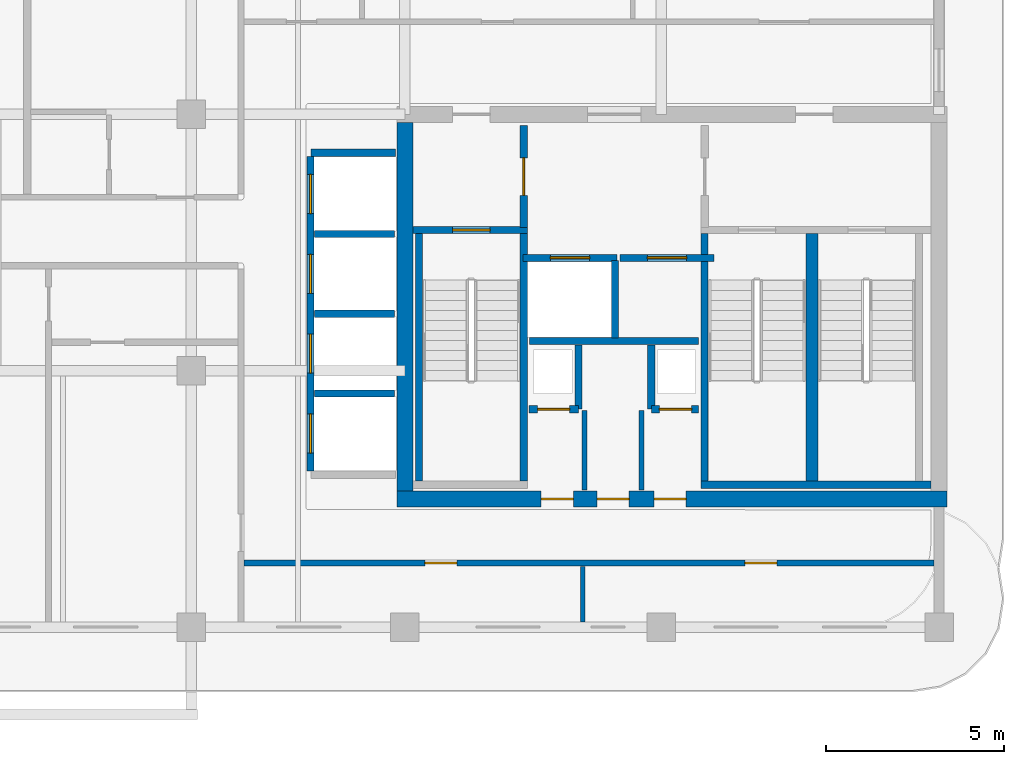
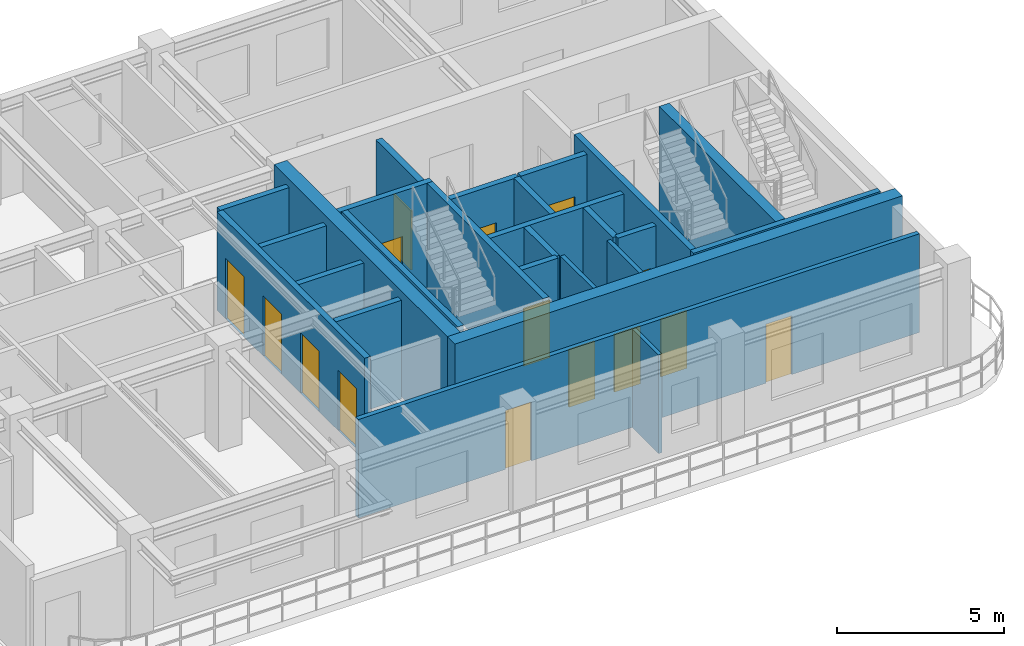
# One storey, part 3 of 7: 26 walls, 15 doors, 15 openings.
"""IFC4 building model written with IfcOpenShell, lengths in metres."""

import ifcopenshell
import ifcopenshell.guid

model = None  # the IFC model being written
_history = None  # IfcOwnerHistory: only IFC2X3 demands one
_inside = {}  # id of a spatial element -> (the spatial element, [elements in it])
_under = {}  # id of a project, library or spatial element -> (it, [spatial elements below it])
_declared = {}  # id of a project -> (the project, [libraries it declares])
_typed = {}  # id of a type object -> (the type object, [elements of that type])
_made_of = {}  # id of a material, layer set ... -> (it, [elements and type objects made of it])


def new_model(schema):
    """Start an empty IFC model of exactly this schema.

    Asked for "IFC4X3", IfcOpenShell would pick the latest addendum, in which some entities
    have other attributes; the version numbers below select the first issue.
    IFC2X3 requires an IfcOwnerHistory on every rooted entity: one is made here for all.
    """
    global model, _history
    if schema == "IFC4X3":
        model = ifcopenshell.file(schema_version=(4, 3, 0, 0))
    else:
        model = ifcopenshell.file(schema=schema)
    _inside.clear()
    _under.clear()
    _declared.clear()
    _typed.clear()
    _made_of.clear()
    _history = None
    if model.schema == "IFC2X3":
        org = make("IfcOrganization", Name="unknown")
        user = make(
            "IfcPersonAndOrganization",
            ThePerson=make("IfcPerson", FamilyName="unknown"),
            TheOrganization=org,
        )
        app = make(
            "IfcApplication",
            ApplicationDeveloper=org,
            Version="unknown",
            ApplicationFullName="unknown",
            ApplicationIdentifier="unknown",
        )
        _history = make(
            "IfcOwnerHistory",
            OwningUser=user,
            OwningApplication=app,
            ChangeAction="ADDED",
            CreationDate=0,
        )
    return model


def make(cls, **values):
    """One entity of the class cls with the attributes given. An attribute that is None is left unset."""
    return model.create_entity(
        cls, **{name: value for name, value in values.items() if value is not None}
    )


def rooted(cls, **values):
    """An entity with a GlobalId (a new one), such as an element, a storey or a relation."""
    return make(cls, GlobalId=ifcopenshell.guid.new(), OwnerHistory=_history, **values)


def si_unit(unit_type, name, prefix=None):
    """IfcSIUnit, for example si_unit("LENGTHUNIT", "METRE", prefix="MILLI")."""
    return make("IfcSIUnit", UnitType=unit_type, Prefix=prefix, Name=name)


def derived_unit(unit_type, elements):
    """IfcDerivedUnit: a product of units, each with its exponent."""
    return make(
        "IfcDerivedUnit",
        Elements=[
            make("IfcDerivedUnitElement", Unit=unit, Exponent=power)
            for unit, power in elements
        ],
        UnitType=unit_type,
    )


def assignment(units):
    """IfcUnitAssignment: the units of a project."""
    return None if units is None else make("IfcUnitAssignment", Units=units)


def point(xyz):
    """IfcCartesianPoint."""
    return None if xyz is None else make("IfcCartesianPoint", Coordinates=xyz)


def direction(xyz):
    """IfcDirection."""
    return None if xyz is None else make("IfcDirection", DirectionRatios=xyz)


def frame(location, z_axis=None, x_axis=None):
    """IfcAxis2Placement3D, a coordinate frame: its origin and axes. An axis left out is left unset."""
    return make(
        "IfcAxis2Placement3D",
        Location=point(location),
        Axis=direction(z_axis),
        RefDirection=direction(x_axis),
    )


def frame_2d(location, x_axis=None):
    """IfcAxis2Placement2D, a coordinate frame in the plane: its origin and x axis."""
    return make(
        "IfcAxis2Placement2D", Location=point(location), RefDirection=direction(x_axis)
    )


def origin():
    """The frame at (0, 0, 0) with its axes left unset."""
    return frame((0.0, 0.0, 0.0))


def place(relative_to, where):
    """IfcLocalPlacement: puts the frame where relative to a parent placement (None: the world)."""
    return make(
        "IfcLocalPlacement", PlacementRelTo=relative_to, RelativePlacement=where
    )


def context(
    kind, dimensions, precision=None, world=None, true_north=None, identifier=None
):
    """IfcGeometricRepresentationContext, for example the 3D "Model" context."""
    return make(
        "IfcGeometricRepresentationContext",
        ContextIdentifier=identifier,
        ContextType=kind,
        CoordinateSpaceDimension=dimensions,
        Precision=precision,
        WorldCoordinateSystem=world,
        TrueNorth=true_north,
    )


def subcontext(parent, identifier, kind, view, scale=None):
    """IfcGeometricRepresentationSubContext, for example "Body" below "Model"."""
    return make(
        "IfcGeometricRepresentationSubContext",
        ContextIdentifier=identifier,
        ContextType=kind,
        ParentContext=parent,
        TargetScale=scale,
        TargetView=view,
    )


def project(units=None, contexts=None):
    """IfcProject with its units and contexts."""
    return rooted(
        "IfcProject",
        Name="project",
        RepresentationContexts=contexts,
        UnitsInContext=assignment(units),
    )


def spatial(cls, under=None, at=None, **own):
    """A site, building, storey or space (cls), placed at a placement, below another one or the project."""
    s = rooted(cls, ObjectPlacement=at, **own)
    if under is not None:
        _under.setdefault(under.id(), (under, []))[1].append(s)
    return s


def profile(cls, at=None, kind="AREA", **sizes):
    """A parametric profile (cls). Its sizes go by their IFC names, for example OverallWidth=200.0."""
    return make(cls, ProfileType=kind, Position=at, **sizes)


def rectangle(**sizes):
    """IfcRectangleProfileDef."""
    return profile("IfcRectangleProfileDef", **sizes)


def extrude(swept, where, along, depth):
    """IfcExtrudedAreaSolid: the profile swept, set in the frame where, extruded along a direction by depth."""
    return make(
        "IfcExtrudedAreaSolid",
        SweptArea=swept,
        Position=where,
        ExtrudedDirection=direction(along),
        Depth=depth,
    )


def shape(context_of_items, identifier, shape_type, items):
    """IfcShapeRepresentation: the items that make up one representation, for example the "Body"."""
    return make(
        "IfcShapeRepresentation",
        ContextOfItems=context_of_items,
        RepresentationIdentifier=identifier,
        RepresentationType=shape_type,
        Items=items,
    )


def source(mapping_origin, context_of_items, identifier, shape_type, items):
    """IfcRepresentationMap: a shape defined once, which mapped items show again and again."""
    return make(
        "IfcRepresentationMap",
        MappingOrigin=mapping_origin,
        MappedRepresentation=shape(context_of_items, identifier, shape_type, items),
    )


def transform(
    local_origin,
    x_axis=None,
    y_axis=None,
    z_axis=None,
    scale=None,
    scale2=None,
    scale3=None,
    uniform=True,
):
    """IfcCartesianTransformationOperator3D, or its non-uniform kind. x_axis, y_axis, z_axis: its Axis1, 2, 3."""
    if uniform:
        return make(
            "IfcCartesianTransformationOperator3D",
            Axis1=direction(x_axis),
            Axis2=direction(y_axis),
            LocalOrigin=point(local_origin),
            Scale=scale,
            Axis3=direction(z_axis),
        )
    return make(
        "IfcCartesianTransformationOperator3DnonUniform",
        Axis1=direction(x_axis),
        Axis2=direction(y_axis),
        LocalOrigin=point(local_origin),
        Scale=scale,
        Axis3=direction(z_axis),
        Scale2=scale2,
        Scale3=scale3,
    )


def mapped(mapping_source, mapping_target):
    """IfcMappedItem: shows the shape of a source again, moved by a transform."""
    return make(
        "IfcMappedItem", MappingSource=mapping_source, MappingTarget=mapping_target
    )


def material(Name=None, Category=None):
    """IfcMaterial."""
    return make("IfcMaterial", Name=Name, Category=Category)


def layer(
    of_material, thickness, ventilated=None, Name=None, Category=None, Priority=None
):
    """IfcMaterialLayer: one layer of a wall or slab, of a material (None: an air gap)."""
    return make(
        "IfcMaterialLayer",
        Material=of_material,
        LayerThickness=thickness,
        IsVentilated=ventilated,
        Name=Name,
        Category=Category,
        Priority=Priority,
    )


def layer_set(layers, Name=None):
    """IfcMaterialLayerSet."""
    return make("IfcMaterialLayerSet", MaterialLayers=layers, LayerSetName=Name)


def made_of(thing, what):
    """Note that an element or type object is made of a material, layer set ...; save() writes the relation."""
    if what is not None:
        _made_of.setdefault(what.id(), (what, []))[1].append(thing)
    return thing


def type_object(cls, material=None, **own):
    """A type object (cls), such as IfcWallType, which elements share."""
    return made_of(rooted(cls, **own), material)


def type_shapes(of_type, sources):
    """Give a type object the sources (RepresentationMaps) that its elements show as mapped items."""
    of_type.RepresentationMaps = sources


def element(
    cls,
    number,
    at=None,
    inside=None,
    cuts=None,
    type_object=None,
    material=None,
    context=None,
    identifier="Body",
    shape_type=None,
    held_by="IfcProductDefinitionShape",
    body=None,
    shapes=None,
    **own,
):
    """One element of the class cls, such as IfcWall. Its Tag is "e" and its number.

    at: its placement. inside: the storey or other place that contains it. cuts: it is an
    opening in that element (IfcRelVoidsElement). A single representation is given by context,
    identifier, shape_type and body (its items); several are given by shapes. held_by: the class
    of the entity that holds the representations. save() writes the other relations.
    """
    e = rooted(cls, Tag="e%d" % number, ObjectPlacement=at, **own)
    if body is not None:
        shapes = [shape(context, identifier, shape_type, body)]
    if shapes is not None:
        e.Representation = make(held_by, Representations=shapes)
    if inside is not None:
        _inside.setdefault(inside.id(), (inside, []))[1].append(e)
    if cuts is not None:
        rooted(
            "IfcRelVoidsElement", RelatingBuildingElement=cuts, RelatedOpeningElement=e
        )
    if type_object is not None:
        _typed.setdefault(type_object.id(), (type_object, []))[1].append(e)
    return made_of(e, material)


def fill(opening, filler):
    """IfcRelFillsElement: the door or window that sits in an opening."""
    return rooted(
        "IfcRelFillsElement",
        RelatingOpeningElement=opening,
        RelatedBuildingElement=filler,
    )


def aggregate(whole, parts):
    """IfcRelAggregates: a whole, such as a stair, and the parts it consists of."""
    return rooted("IfcRelAggregates", RelatingObject=whole, RelatedObjects=parts)


def save(model, path):
    """Write the relations noted so far, then the file.

    IfcRelAggregates (storeys below a building ...), IfcRelContainedInSpatialStructure (elements
    in a storey), IfcRelDefinesByType, IfcRelAssociatesMaterial and IfcRelDeclares: one each for
    every whole, place, type object, material and project.
    """
    for whole, parts in _under.values():
        aggregate(whole, parts)
    for where, things in _inside.values():
        rooted(
            "IfcRelContainedInSpatialStructure",
            RelatedElements=things,
            RelatingStructure=where,
        )
    for kind, things in _typed.values():
        rooted("IfcRelDefinesByType", RelatedObjects=things, RelatingType=kind)
    for what, things in _made_of.values():
        rooted("IfcRelAssociatesMaterial", RelatedObjects=things, RelatingMaterial=what)
    for by, libraries in _declared.values():
        rooted("IfcRelDeclares", RelatingContext=by, RelatedDefinitions=libraries)
    model.write(path)


model = new_model("IFC4")

# Units and contexts
model_context = context("Model", 3, precision=1e-05, world=origin(), true_north=direction((0.0, 1.0)))
body_context = subcontext(model_context, "Body", "Model", "MODEL_VIEW")
ifc_project = project(units=[si_unit("LENGTHUNIT", "METRE"), si_unit("AREAUNIT", "SQUARE_METRE"), si_unit("VOLUMEUNIT", "CUBIC_METRE"), si_unit("PLANEANGLEUNIT", "RADIAN"), si_unit("MASSUNIT", "GRAM", prefix="KILO"), si_unit("THERMODYNAMICTEMPERATUREUNIT", "KELVIN"), si_unit("POWERUNIT", "WATT"), derived_unit("THERMALTRANSMITTANCEUNIT", [(si_unit("POWERUNIT", "WATT"), 1), (si_unit("AREAUNIT", "SQUARE_METRE"), -1), (si_unit("THERMODYNAMICTEMPERATUREUNIT", "KELVIN"), -1)])], contexts=[model_context])

# Site, building, storey
site_placement = place(None, origin())
site = spatial("IfcSite", under=ifc_project, at=site_placement, CompositionType="ELEMENT")
building_placement = place(site_placement, origin())
building = spatial("IfcBuilding", under=site, at=building_placement, Name="Zahravan Archway Hotel and Residences", CompositionType="ELEMENT")
storey_placement = place(building_placement, frame((0.0, 0.0, 251.949951171875)))
storey = spatial("IfcBuildingStorey", under=building, at=storey_placement, Name="L63", CompositionType="ELEMENT", Elevation=251.949951171875)

# Wall, openings, doors
ifc_material_1 = material(Name="Concrete C50/60", Category="concrete")
ifc_layer_1 = layer(ifc_material_1, 0.449951171875, Name="Concrete C50/60", Category="concrete")
ifc_layer_set_1 = layer_set([ifc_layer_1], Name="Concrete C50/60")
wall_type_1 = type_object("IfcWallType", Name="CW-CORE-450", PredefinedType="SHEAR", material=ifc_layer_set_1)
wall_1_placement = place(storey_placement, frame((34.574951171875, 3.60009765625, 0.0), z_axis=(0.0, 0.0, 1.0), x_axis=(1.0, 0.0, 0.0)))
wall_1 = element("IfcWall", 1, at=wall_1_placement, inside=storey, type_object=wall_type_1, Name="L63 Core A Shear S Wall 450 mm", PredefinedType="SHEAR", context=body_context, shape_type="SweptSolid", body=[
    extrude(rectangle(XDim=15.449951171875, YDim=0.449951171875, at=frame_2d((7.72509765625, 0.0))), origin(), (0.0, 0.0, 1.0), 3.85009765625),
])
opening_1_placement = place(wall_1_placement, frame((4.054931640625, 0.0, 0.0)))
opening_1 = element("IfcOpeningElement", 2, at=opening_1_placement, cuts=wall_1, Name="Opening FD-R1", PredefinedType="OPENING", context=body_context, shape_type="SweptSolid", body=[
    extrude(rectangle(XDim=0.89990234375, YDim=2.10009765625, at=frame_2d((0.449951171875, 1.050048828125))), frame((0.0, 0.23486328125, 0.0), z_axis=(0.0, -1.0, 0.0), x_axis=(1.0, 0.0, 0.0)), (0.0, 0.0, 1.0), 0.469970703125),
])
opening_2_placement = place(wall_1_placement, frame((5.625, 0.0, 0.0)))
opening_2 = element("IfcOpeningElement", 3, at=opening_2_placement, cuts=wall_1, Name="Opening FD-R1", PredefinedType="OPENING", context=body_context, shape_type="SweptSolid", body=[
    extrude(rectangle(XDim=0.89990234375, YDim=2.10009765625, at=frame_2d((0.449951171875, 1.050048828125))), frame((0.0, 0.23486328125, 0.0), z_axis=(0.0, -1.0, 0.0), x_axis=(1.0, 0.0, 0.0)), (0.0, 0.0, 1.0), 0.469970703125),
])
opening_3_placement = place(wall_1_placement, frame((7.22509765625, 0.0, 0.0)))
opening_3 = element("IfcOpeningElement", 4, at=opening_3_placement, cuts=wall_1, Name="Opening FD-R1", PredefinedType="OPENING", context=body_context, shape_type="SweptSolid", body=[
    extrude(rectangle(XDim=0.89990234375, YDim=2.10009765625, at=frame_2d((0.449951171875, 1.050048828125))), frame((0.0, 0.23486328125, 0.0), z_axis=(0.0, -1.0, 0.0), x_axis=(1.0, 0.0, 0.0)), (0.0, 0.0, 1.0), 0.469970703125),
])
ifc_material_2 = material(Name="Fire-Rated Painted Steel", Category="steel")
door_type_1 = type_object("IfcDoorType", Name="FD-RISER-900", OperationType="NOTDEFINED", PredefinedType="DOOR", material=ifc_material_2)
shared_shape_1 = source(origin(), body_context, "Body", "SweptSolid", [
    extrude(rectangle(XDim=0.89990234375, YDim=2.10009765625, at=frame_2d((0.449951171875, 1.050048828125))), frame((0.0, 0.02490234375, 0.0), z_axis=(0.0, -1.0, 0.0), x_axis=(1.0, 0.0, 0.0)), (0.0, 0.0, 1.0), 0.050048828125),
])
type_shapes(door_type_1, [shared_shape_1])
door_1_placement = place(opening_1_placement, origin())
door_1 = element("IfcDoor", 5, at=door_1_placement, inside=storey, type_object=door_type_1, Name="L63 Linen Store Door", OperationType="SINGLE_SWING_RIGHT", OverallHeight=2.10009765625, OverallWidth=0.89990234375, PredefinedType="DOOR", context=body_context, shape_type="MappedRepresentation", body=[
    mapped(shared_shape_1, transform((0.0, 0.0, 0.0), scale=1.0)),
])
fill(opening_1, door_1)
door_2_placement = place(opening_2_placement, origin())
door_2 = element("IfcDoor", 6, at=door_2_placement, inside=storey, type_object=door_type_1, Name="L63 Housekeeping Store Door", OperationType="SINGLE_SWING_LEFT", OverallHeight=2.10009765625, OverallWidth=0.89990234375, PredefinedType="DOOR", context=body_context, shape_type="MappedRepresentation", body=[
    mapped(shared_shape_1, transform((0.0, 0.0, 0.0), scale=1.0)),
])
fill(opening_2, door_2)
door_3_placement = place(opening_3_placement, origin())
door_3 = element("IfcDoor", 7, at=door_3_placement, inside=storey, type_object=door_type_1, Name="L63 Janitor Store Door", OperationType="SINGLE_SWING_RIGHT", OverallHeight=2.10009765625, OverallWidth=0.89990234375, PredefinedType="DOOR", context=body_context, shape_type="MappedRepresentation", body=[
    mapped(shared_shape_1, transform((0.0, 0.0, 0.0), scale=1.0)),
])
fill(opening_3, door_3)

# Wall
wall_2_placement = place(storey_placement, frame((34.800048828125, 3.824951171875, 0.0), z_axis=(0.0, 0.0, 1.0), x_axis=(0.0, 1.0, 0.0)))
element("IfcWall", 8, at=wall_2_placement, inside=storey, type_object=wall_type_1, Name="L63 Core A Shear W Wall 450 mm", PredefinedType="SHEAR", context=body_context, shape_type="SweptSolid", body=[
    extrude(rectangle(XDim=10.35009765625, YDim=0.449951171875, at=frame_2d((5.175048828125, 0.0))), origin(), (0.0, 0.0, 1.0), 3.85009765625),
])

# Wall, opening, door
ifc_material_3 = material(Name="Fire-Rated Gypsum & Concrete Block", Category="concrete")
ifc_layer_2 = layer(ifc_material_3, 0.219970703125, Name="Fire-Rated Gypsum & Concrete Block", Category="concrete")
ifc_layer_set_2 = layer_set([ifc_layer_2], Name="Fire-Rated Gypsum & Concrete Block")
wall_type_2 = type_object("IfcWallType", Name="PW-COMP-220", PredefinedType="PARTITIONING", material=ifc_layer_set_2)
wall_3_placement = place(storey_placement, frame((38.139892578125, 11.219970703125, 0.0), z_axis=(0.0, 0.0, 1.0), x_axis=(0.0, 1.0, 0.0)))
wall_3 = element("IfcWall", 9, at=wall_3_placement, inside=storey, type_object=wall_type_2, Name="L63 Partition CA-LOBW", PredefinedType="PARTITIONING", context=body_context, shape_type="SweptSolid", body=[
    extrude(rectangle(XDim=2.860107421875, YDim=0.219970703125, at=frame_2d((1.43017578125, 0.0))), origin(), (0.0, 0.0, 1.0), 3.60009765625),
])
opening_4_placement = place(wall_3_placement, frame((0.905029296875, 0.0, 0.0)))
opening_4 = element("IfcOpeningElement", 10, at=opening_4_placement, cuts=wall_3, Name="Opening FD-L2", PredefinedType="OPENING", context=body_context, shape_type="SweptSolid", body=[
    extrude(rectangle(XDim=1.050048828125, YDim=2.14990234375, at=frame_2d((0.52490234375, 1.074951171875))), frame((0.0, 0.1201171875, 0.0), z_axis=(0.0, -1.0, 0.0), x_axis=(1.0, 0.0, 0.0)), (0.0, 0.0, 1.0), 0.239990234375),
])
door_type_2 = type_object("IfcDoorType", Name="FD-LOBBY-1100", OperationType="NOTDEFINED", PredefinedType="DOOR", material=ifc_material_2)
shared_shape_2 = source(origin(), body_context, "Body", "SweptSolid", [
    extrude(rectangle(XDim=1.050048828125, YDim=2.14990234375, at=frame_2d((0.52490234375, 1.074951171875))), frame((0.0, 0.02490234375, 0.0), z_axis=(0.0, -1.0, 0.0), x_axis=(1.0, 0.0, 0.0)), (0.0, 0.0, 1.0), 0.050048828125),
])
type_shapes(door_type_2, [shared_shape_2])
door_4_placement = place(opening_4_placement, origin())
door_4 = element("IfcDoor", 11, at=door_4_placement, inside=storey, type_object=door_type_2, Name="L63 Core A West Stair to FSAE Lobby Door", OperationType="SINGLE_SWING_RIGHT", OverallHeight=2.14990234375, OverallWidth=1.050048828125, PredefinedType="DOOR", context=body_context, shape_type="MappedRepresentation", body=[
    mapped(shared_shape_2, transform((0.0, 0.0, 0.0), scale=1.0)),
])
fill(opening_4, door_4)

# Wall, openings, doors
ifc_layer_3 = layer(ifc_material_3, 0.159912109375, Name="Fire-Rated Gypsum & Concrete Block", Category="concrete")
ifc_layer_set_3 = layer_set([ifc_layer_3], Name="Fire-Rated Gypsum & Concrete Block")
wall_type_3 = type_object("IfcWallType", Name="PW-CORR-160", PredefinedType="PARTITIONING", material=ifc_layer_set_3)
wall_4_placement = place(storey_placement, frame((30.2900390625, 1.800048828125, 0.0), z_axis=(0.0, 0.0, 1.0), x_axis=(1.0, 0.0, 0.0)))
wall_4 = element("IfcWall", 12, at=wall_4_placement, inside=storey, type_object=wall_type_3, Name="L63 Partition WA-SRS", PredefinedType="PARTITIONING", context=body_context, shape_type="SweptSolid", body=[
    extrude(rectangle(XDim=19.369873046875, YDim=0.159912109375, at=frame_2d((9.68505859375, 0.0))), origin(), (0.0, 0.0, 1.0), 3.60009765625),
])
opening_5_placement = place(wall_4_placement, frame((5.07421875, 0.0, 0.0)))
opening_5 = element("IfcOpeningElement", 13, at=opening_5_placement, cuts=wall_4, Name="Opening D-I2", PredefinedType="OPENING", context=body_context, shape_type="SweptSolid", body=[
    extrude(rectangle(XDim=0.89990234375, YDim=2.14990234375, at=frame_2d((0.449951171875, 1.074951171875))), frame((0.0, 0.08984375, 0.0), z_axis=(0.0, -1.0, 0.0), x_axis=(1.0, 0.0, 0.0)), (0.0, 0.0, 1.0), 0.179931640625),
])
opening_6_placement = place(wall_4_placement, frame((14.06005859375, 0.0, 0.0)))
opening_6 = element("IfcOpeningElement", 14, at=opening_6_placement, cuts=wall_4, Name="Opening D-I2", PredefinedType="OPENING", context=body_context, shape_type="SweptSolid", body=[
    extrude(rectangle(XDim=0.89990234375, YDim=2.14990234375, at=frame_2d((0.449951171875, 1.074951171875))), frame((0.0, 0.08984375, 0.0), z_axis=(0.0, -1.0, 0.0), x_axis=(1.0, 0.0, 0.0)), (0.0, 0.0, 1.0), 0.179931640625),
])
ifc_material_4 = material(Name="Hardwood Veneer Timber", Category="wood")
door_type_3 = type_object("IfcDoorType", Name="ID-INT-900", OperationType="NOTDEFINED", PredefinedType="DOOR", material=ifc_material_4)
shared_shape_3 = source(origin(), body_context, "Body", "SweptSolid", [
    extrude(rectangle(XDim=0.89990234375, YDim=2.14990234375, at=frame_2d((0.449951171875, 1.074951171875))), frame((0.0, 0.02490234375, 0.0), z_axis=(0.0, -1.0, 0.0), x_axis=(1.0, 0.0, 0.0)), (0.0, 0.0, 1.0), 0.050048828125),
])
type_shapes(door_type_3, [shared_shape_3])
door_5_placement = place(opening_5_placement, origin())
door_5 = element("IfcDoor", 15, at=door_5_placement, inside=storey, type_object=door_type_3, Name="L63 South Study Door", OperationType="SINGLE_SWING_RIGHT", OverallHeight=2.14990234375, OverallWidth=0.89990234375, PredefinedType="DOOR", context=body_context, shape_type="MappedRepresentation", body=[
    mapped(shared_shape_3, transform((0.0, 0.0, 0.0), scale=1.0)),
])
fill(opening_5, door_5)
door_6_placement = place(opening_6_placement, origin())
door_6 = element("IfcDoor", 16, at=door_6_placement, inside=storey, type_object=door_type_3, Name="L63 South Pantry Door", OperationType="SINGLE_SWING_LEFT", OverallHeight=2.14990234375, OverallWidth=0.89990234375, PredefinedType="DOOR", context=body_context, shape_type="MappedRepresentation", body=[
    mapped(shared_shape_3, transform((0.0, 0.0, 0.0), scale=1.0)),
])
fill(opening_6, door_6)

# Walls
ifc_material_5 = material(Name="Acoustic Stud Partition")
ifc_layer_4 = layer(ifc_material_5, 0.125, Name="Acoustic Stud Partition")
ifc_layer_set_4 = layer_set([ifc_layer_4], Name="Acoustic Stud Partition")
wall_type_4 = type_object("IfcWallType", Name="PW-INT-125", PredefinedType="PARTITIONING", material=ifc_layer_set_4)
wall_5_placement = place(storey_placement, frame((39.800048828125, 0.14794921875, 0.0), z_axis=(0.0, 0.0, 1.0), x_axis=(0.0, 1.0, 0.0)))
element("IfcWall", 17, at=wall_5_placement, inside=storey, type_object=wall_type_4, Name="L63 Partition S-DIV1", PredefinedType="PARTITIONING", context=body_context, shape_type="SweptSolid", body=[
    extrude(rectangle(XDim=1.56201171875, YDim=0.125, at=frame_2d((0.781005859375, 0.0))), origin(), (0.0, 0.0, 1.0), 3.60009765625),
])
ifc_layer_5 = layer(ifc_material_3, 0.199951171875, Name="Fire-Rated Gypsum & Concrete Block", Category="concrete")
ifc_layer_set_5 = layer_set([ifc_layer_5], Name="Fire-Rated Gypsum & Concrete Block")
wall_type_5 = type_object("IfcWallType", Name="PW-SHAFT-200", PredefinedType="PARTITIONING", material=ifc_layer_set_5)
wall_6_placement = place(storey_placement, frame((38.300048828125, 8.030029296875, 0.0), z_axis=(0.0, 0.0, 1.0), x_axis=(1.0, 0.0, 0.0)))
element("IfcWall", 18, at=wall_6_placement, inside=storey, type_object=wall_type_5, Name="L63 Partition CA-FLS", PredefinedType="PARTITIONING", context=body_context, shape_type="SweptSolid", body=[
    extrude(rectangle(XDim=4.739990234375, YDim=0.199951171875, at=frame_2d((2.3701171875, 0.0))), origin(), (0.0, 0.0, 1.0), 3.60009765625),
])
wall_7_placement = place(storey_placement, frame((40.699951171875, 8.1201171875, 0.0), z_axis=(0.0, 0.0, 1.0), x_axis=(0.0, 1.0, 0.0)))
element("IfcWall", 19, at=wall_7_placement, inside=storey, type_object=wall_type_5, Name="L63 Partition CA-FLM", PredefinedType="PARTITIONING", context=body_context, shape_type="SweptSolid", body=[
    extrude(rectangle(XDim=2.179931640625, YDim=0.199951171875, at=frame_2d((1.08984375, 0.0))), origin(), (0.0, 0.0, 1.0), 3.60009765625),
])

# Wall, opening, door
wall_8_placement = place(storey_placement, frame((38.2900390625, 6.1201171875, 0.0), z_axis=(0.0, 0.0, 1.0), x_axis=(1.0, 0.0, 0.0)))
wall_8 = element("IfcWall", 20, at=wall_8_placement, inside=storey, type_object=wall_type_5, Name="L63 Partition CA-SMKS", PredefinedType="PARTITIONING", context=body_context, shape_type="SweptSolid", body=[
    extrude(rectangle(XDim=1.3798828125, YDim=0.199951171875, at=frame_2d((0.68994140625, 0.0))), origin(), (0.0, 0.0, 1.0), 3.60009765625),
])
opening_7_placement = place(wall_8_placement, frame((0.239990234375, 0.0, 0.0)))
opening_7 = element("IfcOpeningElement", 21, at=opening_7_placement, cuts=wall_8, Name="Opening FD-R1", PredefinedType="OPENING", context=body_context, shape_type="SweptSolid", body=[
    extrude(rectangle(XDim=0.89990234375, YDim=2.10009765625, at=frame_2d((0.449951171875, 1.050048828125))), frame((0.0, 0.10986328125, 0.0), z_axis=(0.0, -1.0, 0.0), x_axis=(1.0, 0.0, 0.0)), (0.0, 0.0, 1.0), 0.219970703125),
])
door_7_placement = place(opening_7_placement, origin())
door_7 = element("IfcDoor", 22, at=door_7_placement, inside=storey, type_object=door_type_1, Name="L63 Smoke Riser Access Door", OperationType="SINGLE_SWING_RIGHT", OverallHeight=2.10009765625, OverallWidth=0.89990234375, PredefinedType="DOOR", context=body_context, shape_type="MappedRepresentation", body=[
    mapped(shared_shape_1, transform((0.0, 0.0, 0.0), scale=1.0)),
])
fill(opening_7, door_7)

# Wall
wall_9_placement = place(storey_placement, frame((39.679931640625, 6.1298828125, 0.0), z_axis=(0.0, 0.0, 1.0), x_axis=(0.0, 1.0, 0.0)))
element("IfcWall", 23, at=wall_9_placement, inside=storey, type_object=wall_type_5, Name="L63 Partition CA-SMKE", PredefinedType="PARTITIONING", context=body_context, shape_type="SweptSolid", body=[
    extrude(rectangle(XDim=1.7900390625, YDim=0.199951171875, at=frame_2d((0.89501953125, 0.0))), origin(), (0.0, 0.0, 1.0), 3.60009765625),
])

# Wall, opening, door
wall_10_placement = place(storey_placement, frame((41.72998046875, 6.1201171875, 0.0), z_axis=(0.0, 0.0, 1.0), x_axis=(1.0, 0.0, 0.0)))
wall_10 = element("IfcWall", 24, at=wall_10_placement, inside=storey, type_object=wall_type_5, Name="L63 Partition CA-MEPS", PredefinedType="PARTITIONING", context=body_context, shape_type="SweptSolid", body=[
    extrude(rectangle(XDim=1.320068359375, YDim=0.199951171875, at=frame_2d((0.66015625, 0.0))), origin(), (0.0, 0.0, 1.0), 3.60009765625),
])
opening_8_placement = place(wall_10_placement, frame((0.219970703125, 0.0, 0.0)))
opening_8 = element("IfcOpeningElement", 25, at=opening_8_placement, cuts=wall_10, Name="Opening FD-R1", PredefinedType="OPENING", context=body_context, shape_type="SweptSolid", body=[
    extrude(rectangle(XDim=0.89990234375, YDim=2.10009765625, at=frame_2d((0.449951171875, 1.050048828125))), frame((0.0, 0.10986328125, 0.0), z_axis=(0.0, -1.0, 0.0), x_axis=(1.0, 0.0, 0.0)), (0.0, 0.0, 1.0), 0.219970703125),
])
door_8_placement = place(opening_8_placement, origin())
door_8 = element("IfcDoor", 26, at=door_8_placement, inside=storey, type_object=door_type_1, Name="L63 MEP Riser Access Door", OperationType="SINGLE_SWING_LEFT", OverallHeight=2.10009765625, OverallWidth=0.89990234375, PredefinedType="DOOR", context=body_context, shape_type="MappedRepresentation", body=[
    mapped(shared_shape_1, transform((0.0, 0.0, 0.0), scale=1.0)),
])
fill(opening_8, door_8)

# Walls
wall_11_placement = place(storey_placement, frame((41.719970703125, 6.1298828125, 0.0), z_axis=(0.0, 0.0, 1.0), x_axis=(0.0, 1.0, 0.0)))
element("IfcWall", 27, at=wall_11_placement, inside=storey, type_object=wall_type_5, Name="L63 Partition CA-MEPW", PredefinedType="PARTITIONING", context=body_context, shape_type="SweptSolid", body=[
    extrude(rectangle(XDim=1.7900390625, YDim=0.199951171875, at=frame_2d((0.89501953125, 0.0))), origin(), (0.0, 0.0, 1.0), 3.60009765625),
])
wall_12_placement = place(storey_placement, frame((32.159912109375, 13.320068359375, 0.0), z_axis=(0.0, 0.0, 1.0), x_axis=(1.0, 0.0, 0.0)))
element("IfcWall", 28, at=wall_12_placement, inside=storey, type_object=wall_type_5, Name="L63 Partition B3-N", PredefinedType="PARTITIONING", context=body_context, shape_type="SweptSolid", body=[
    extrude(rectangle(XDim=2.385009765625, YDim=0.199951171875, at=frame_2d((1.1923828125, 0.0))), origin(), (0.0, 0.0, 1.0), 3.60009765625),
])

# Wall, openings, doors
wall_13_placement = place(storey_placement, frame((32.14990234375, 4.389892578125, 0.0), z_axis=(0.0, 0.0, 1.0), x_axis=(0.0, 1.0, 0.0)))
wall_13 = element("IfcWall", 29, at=wall_13_placement, inside=storey, type_object=wall_type_5, Name="L63 Partition B3-W", PredefinedType="PARTITIONING", context=body_context, shape_type="SweptSolid", body=[
    extrude(rectangle(XDim=8.820068359375, YDim=0.199951171875, at=frame_2d((4.41015625, 0.0))), origin(), (0.0, 0.0, 1.0), 3.60009765625),
])
opening_9_placement = place(wall_13_placement, frame((0.5, 0.0, 0.0)))
opening_9 = element("IfcOpeningElement", 30, at=opening_9_placement, cuts=wall_13, Name="Opening LD", PredefinedType="OPENING", context=body_context, shape_type="SweptSolid", body=[
    extrude(rectangle(XDim=1.10009765625, YDim=2.199951171875, at=frame_2d((0.550048828125, 1.10009765625))), frame((0.0, 0.10986328125, 0.0), z_axis=(0.0, -1.0, 0.0), x_axis=(1.0, 0.0, 0.0)), (0.0, 0.0, 1.0), 0.219970703125),
])
opening_10_placement = place(wall_13_placement, frame((2.739990234375, 0.0, 0.0)))
opening_10 = element("IfcOpeningElement", 31, at=opening_10_placement, cuts=wall_13, Name="Opening LD", PredefinedType="OPENING", context=body_context, shape_type="SweptSolid", body=[
    extrude(rectangle(XDim=1.10009765625, YDim=2.199951171875, at=frame_2d((0.550048828125, 1.10009765625))), frame((0.0, 0.10986328125, 0.0), z_axis=(0.0, -1.0, 0.0), x_axis=(1.0, 0.0, 0.0)), (0.0, 0.0, 1.0), 0.219970703125),
])
opening_11_placement = place(wall_13_placement, frame((4.97998046875, 0.0, 0.0)))
opening_11 = element("IfcOpeningElement", 32, at=opening_11_placement, cuts=wall_13, Name="Opening LD", PredefinedType="OPENING", context=body_context, shape_type="SweptSolid", body=[
    extrude(rectangle(XDim=1.10009765625, YDim=2.199951171875, at=frame_2d((0.550048828125, 1.10009765625))), frame((0.0, 0.10986328125, 0.0), z_axis=(0.0, -1.0, 0.0), x_axis=(1.0, 0.0, 0.0)), (0.0, 0.0, 1.0), 0.219970703125),
])
opening_12_placement = place(wall_13_placement, frame((7.219970703125, 0.0, 0.0)))
opening_12 = element("IfcOpeningElement", 33, at=opening_12_placement, cuts=wall_13, Name="Opening LD", PredefinedType="OPENING", context=body_context, shape_type="SweptSolid", body=[
    extrude(rectangle(XDim=1.10009765625, YDim=2.199951171875, at=frame_2d((0.550048828125, 1.10009765625))), frame((0.0, 0.10986328125, 0.0), z_axis=(0.0, -1.0, 0.0), x_axis=(1.0, 0.0, 0.0)), (0.0, 0.0, 1.0), 0.219970703125),
])
ifc_material_6 = material(Name="Brushed Stainless Steel", Category="steel")
door_type_4 = type_object("IfcDoorType", Name="DR-LIFT-LD", OperationType="SLIDING_TO_LEFT", PredefinedType="DOOR", material=ifc_material_6)
shared_shape_4 = source(origin(), body_context, "Body", "SweptSolid", [
    extrude(rectangle(XDim=1.10009765625, YDim=2.199951171875, at=frame_2d((0.550048828125, 1.10009765625))), frame((0.0, 0.02490234375, 0.0), z_axis=(0.0, -1.0, 0.0), x_axis=(1.0, 0.0, 0.0)), (0.0, 0.0, 1.0), 0.050048828125),
])
type_shapes(door_type_4, [shared_shape_4])
door_9_placement = place(opening_9_placement, origin())
door_9 = element("IfcDoor", 34, at=door_9_placement, inside=storey, type_object=door_type_4, Name="L63 Lift LP-7 Sliding Landing Door", OperationType="SLIDING_TO_LEFT", OverallHeight=2.199951171875, OverallWidth=1.10009765625, PredefinedType="DOOR", context=body_context, shape_type="MappedRepresentation", body=[
    mapped(shared_shape_4, transform((0.0, 0.0, 0.0), scale=1.0)),
])
fill(opening_9, door_9)
door_10_placement = place(opening_10_placement, origin())
door_10 = element("IfcDoor", 35, at=door_10_placement, inside=storey, type_object=door_type_4, Name="L63 Lift LP-8 Sliding Landing Door", OperationType="SLIDING_TO_LEFT", OverallHeight=2.199951171875, OverallWidth=1.10009765625, PredefinedType="DOOR", context=body_context, shape_type="MappedRepresentation", body=[
    mapped(shared_shape_4, transform((0.0, 0.0, 0.0), scale=1.0)),
])
fill(opening_10, door_10)
door_11_placement = place(opening_11_placement, origin())
door_11 = element("IfcDoor", 36, at=door_11_placement, inside=storey, type_object=door_type_4, Name="L63 Lift LP-9 Sliding Landing Door", OperationType="SLIDING_TO_LEFT", OverallHeight=2.199951171875, OverallWidth=1.10009765625, PredefinedType="DOOR", context=body_context, shape_type="MappedRepresentation", body=[
    mapped(shared_shape_4, transform((0.0, 0.0, 0.0), scale=1.0)),
])
fill(opening_11, door_11)
door_12_placement = place(opening_12_placement, origin())
door_12 = element("IfcDoor", 37, at=door_12_placement, inside=storey, type_object=door_type_4, Name="L63 Lift LP-10 Sliding Landing Door", OperationType="SLIDING_TO_LEFT", OverallHeight=2.199951171875, OverallWidth=1.10009765625, PredefinedType="DOOR", context=body_context, shape_type="MappedRepresentation", body=[
    mapped(shared_shape_4, transform((0.0, 0.0, 0.0), scale=1.0)),
])
fill(opening_12, door_12)

# Walls
for number, where, z_axis, x_axis, name in (
    (38, (32.260009765625, 6.56005859375, 0.0), (0.0, 0.0, 1.0), (1.0, 0.0, 0.0), "L63 Partition B3-D"),
    (39, (32.260009765625, 8.800048828125, 0.0), (0.0, 0.0, 1.0), (1.0, 0.0, 0.0), "L63 Partition B3-D"),
    (40, (32.260009765625, 11.0400390625, 0.0), (0.0, 0.0, 1.0), (1.0, 0.0, 0.0), "L63 Partition B3-D"),
):
    element("IfcWall", number, at=place(storey_placement, frame(where, z_axis=z_axis, x_axis=x_axis)), inside=storey, type_object=wall_type_5, Name=name, PredefinedType="PARTITIONING", context=body_context, shape_type="SweptSolid", body=[
        extrude(rectangle(XDim=2.2548828125, YDim=0.199951171875, at=frame_2d((1.12744140625, 0.0))), origin(), (0.0, 0.0, 1.0), 3.60009765625),
    ])

# Wall, opening, door
wall_14_placement = place(storey_placement, frame((38.1201171875, 10.3701171875, 0.0), z_axis=(0.0, 0.0, 1.0), x_axis=(1.0, 0.0, 0.0)))
wall_14 = element("IfcWall", 41, at=wall_14_placement, inside=storey, type_object=wall_type_5, Name="L63 Lift FL-1 Front Wall", PredefinedType="PARTITIONING", context=body_context, shape_type="SweptSolid", body=[
    extrude(rectangle(XDim=2.639892578125, YDim=0.199951171875, at=frame_2d((1.31982421875, 0.0))), origin(), (0.0, 0.0, 1.0), 3.60009765625),
])
opening_13_placement = place(wall_14_placement, frame((0.77001953125, 0.0, 0.0)))
opening_13 = element("IfcOpeningElement", 42, at=opening_13_placement, cuts=wall_14, Name="Opening LD", PredefinedType="OPENING", context=body_context, shape_type="SweptSolid", body=[
    extrude(rectangle(XDim=1.10009765625, YDim=2.199951171875, at=frame_2d((0.550048828125, 1.10009765625))), frame((0.0, 0.10986328125, 0.0), z_axis=(0.0, -1.0, 0.0), x_axis=(1.0, 0.0, 0.0)), (0.0, 0.0, 1.0), 0.219970703125),
])
door_13_placement = place(opening_13_placement, origin())
door_13 = element("IfcDoor", 43, at=door_13_placement, inside=storey, type_object=door_type_4, Name="L63 Lift FL-1 Sliding Landing Door", OperationType="SLIDING_TO_LEFT", OverallHeight=2.199951171875, OverallWidth=1.10009765625, PredefinedType="DOOR", context=body_context, shape_type="MappedRepresentation", body=[
    mapped(shared_shape_4, transform((0.0, 0.0, 0.0), scale=1.0)),
])
fill(opening_13, door_13)

wall_15_placement = place(storey_placement, frame((40.840087890625, 10.3701171875, 0.0), z_axis=(0.0, 0.0, 1.0), x_axis=(1.0, 0.0, 0.0)))
wall_15 = element("IfcWall", 44, at=wall_15_placement, inside=storey, type_object=wall_type_5, Name="L63 Lift FL-2 Front Wall", PredefinedType="PARTITIONING", context=body_context, shape_type="SweptSolid", body=[
    extrude(rectangle(XDim=2.639892578125, YDim=0.199951171875, at=frame_2d((1.31982421875, 0.0))), origin(), (0.0, 0.0, 1.0), 3.60009765625),
])
opening_14_placement = place(wall_15_placement, frame((0.77001953125, 0.0, 0.0)))
opening_14 = element("IfcOpeningElement", 45, at=opening_14_placement, cuts=wall_15, Name="Opening LD", PredefinedType="OPENING", context=body_context, shape_type="SweptSolid", body=[
    extrude(rectangle(XDim=1.10009765625, YDim=2.199951171875, at=frame_2d((0.550048828125, 1.10009765625))), frame((0.0, 0.10986328125, 0.0), z_axis=(0.0, -1.0, 0.0), x_axis=(1.0, 0.0, 0.0)), (0.0, 0.0, 1.0), 0.219970703125),
])
door_14_placement = place(opening_14_placement, origin())
door_14 = element("IfcDoor", 46, at=door_14_placement, inside=storey, type_object=door_type_4, Name="L63 Lift FL-2 Sliding Landing Door", OperationType="SLIDING_TO_LEFT", OverallHeight=2.199951171875, OverallWidth=1.10009765625, PredefinedType="DOOR", context=body_context, shape_type="MappedRepresentation", body=[
    mapped(shared_shape_4, transform((0.0, 0.0, 0.0), scale=1.0)),
])
fill(opening_14, door_14)

# Walls
ifc_material_7 = material(Name="Moisture-Resistant Blockwork", Category="masonry")
ifc_layer_6 = layer(ifc_material_7, 0.139892578125, Name="Moisture-Resistant Blockwork", Category="masonry")
ifc_layer_set_6 = layer_set([ifc_layer_6], Name="Moisture-Resistant Blockwork")
wall_type_6 = type_object("IfcWallType", Name="PW-WET-140", PredefinedType="PARTITIONING", material=ifc_layer_set_6)
for number, where, z_axis, x_axis, name in (
    (47, (39.85009765625, 3.844970703125, 0.0), (0.0, 0.0, 1.0), (0.0, 1.0, 0.0), "L63 Partition CA-CV1A"),
    (48, (41.449951171875, 3.844970703125, 0.0), (0.0, 0.0, 1.0), (0.0, 1.0, 0.0), "L63 Partition CA-CV1B"),
):
    element("IfcWall", number, at=place(storey_placement, frame(where, z_axis=z_axis, x_axis=x_axis)), inside=storey, type_object=wall_type_6, Name=name, PredefinedType="PARTITIONING", context=body_context, shape_type="SweptSolid", body=[
        extrude(rectangle(XDim=2.235107421875, YDim=0.139892578125, at=frame_2d((1.11767578125, 0.0))), origin(), (0.0, 0.0, 1.0), 3.60009765625),
    ])
ifc_layer_7 = layer(ifc_material_1, 0.199951171875, Name="Concrete C50/60", Category="concrete")
ifc_layer_set_7 = layer_set([ifc_layer_7], Name="Concrete C50/60")
wall_type_7 = type_object("IfcWallType", Name="SW-STAIR-200", PredefinedType="SHEAR", material=ifc_layer_set_7)
for number, where, z_axis, x_axis, name in (
    (49, (35.199951171875, 4.10009765625, 0.0), (0.0, 0.0, 1.0), (0.0, 1.0, 0.0), "L63 Stairwell RC Wall CA-SA1W"),
    (50, (38.139892578125, 4.10009765625, 0.0), (0.0, 0.0, 1.0), (0.0, 1.0, 0.0), "L63 Stairwell RC Wall CA-SA1E"),
):
    element("IfcWall", number, at=place(storey_placement, frame(where, z_axis=z_axis, x_axis=x_axis)), inside=storey, type_object=wall_type_7, Name=name, PredefinedType="SHEAR", context=body_context, shape_type="SweptSolid", body=[
        extrude(rectangle(XDim=6.949951171875, YDim=0.199951171875, at=frame_2d((3.47509765625, 0.0))), origin(), (0.0, 0.0, 1.0), 3.85009765625),
    ])

# Wall, opening, door
wall_16_placement = place(storey_placement, frame((35.02490234375, 11.14990234375, 0.0), z_axis=(0.0, 0.0, 1.0), x_axis=(1.0, 0.0, 0.0)))
wall_16 = element("IfcWall", 51, at=wall_16_placement, inside=storey, type_object=wall_type_7, Name="L63 Stairwell RC Wall CA-SA1N", PredefinedType="SHEAR", context=body_context, shape_type="SweptSolid", body=[
    extrude(rectangle(XDim=3.215087890625, YDim=0.199951171875, at=frame_2d((1.607421875, 0.0))), origin(), (0.0, 0.0, 1.0), 3.85009765625),
])
opening_15_placement = place(wall_16_placement, frame((1.1201171875, 0.0, 0.0)))
opening_15 = element("IfcOpeningElement", 52, at=opening_15_placement, cuts=wall_16, Name="Opening FD-S1", PredefinedType="OPENING", context=body_context, shape_type="SweptSolid", body=[
    extrude(rectangle(XDim=1.050048828125, YDim=2.199951171875, at=frame_2d((0.52490234375, 1.10009765625))), frame((0.0, 0.10986328125, 0.0), z_axis=(0.0, -1.0, 0.0), x_axis=(1.0, 0.0, 0.0)), (0.0, 0.0, 1.0), 0.219970703125),
])
door_type_5 = type_object("IfcDoorType", Name="FD-STAIR-1100", OperationType="NOTDEFINED", PredefinedType="DOOR", material=ifc_material_2)
shared_shape_5 = source(origin(), body_context, "Body", "SweptSolid", [
    extrude(rectangle(XDim=1.050048828125, YDim=2.199951171875, at=frame_2d((0.52490234375, 1.10009765625))), frame((0.0, 0.02490234375, 0.0), z_axis=(0.0, -1.0, 0.0), x_axis=(1.0, 0.0, 0.0)), (0.0, 0.0, 1.0), 0.050048828125),
])
type_shapes(door_type_5, [shared_shape_5])
door_15_placement = place(opening_15_placement, origin())
door_15 = element("IfcDoor", 53, at=door_15_placement, inside=storey, type_object=door_type_5, Name="L63 Stair ST-A1 Door", OperationType="SINGLE_SWING_LEFT", OverallHeight=2.199951171875, OverallWidth=1.050048828125, PredefinedType="DOOR", context=body_context, shape_type="MappedRepresentation", body=[
    mapped(shared_shape_5, transform((0.0, 0.0, 0.0), scale=1.0)),
])
fill(opening_15, door_15)

# Walls
wall_17_placement = place(storey_placement, frame((43.1201171875, 4.0, 0.0), z_axis=(0.0, 0.0, 1.0), x_axis=(1.0, 0.0, 0.0)))
element("IfcWall", 54, at=wall_17_placement, inside=storey, type_object=wall_type_7, Name="L63 Stairwell RC Wall CA-SA23S", PredefinedType="SHEAR", context=body_context, shape_type="SweptSolid", body=[
    extrude(rectangle(XDim=6.454833984375, YDim=0.199951171875, at=frame_2d((3.2275390625, 0.0))), origin(), (0.0, 0.0, 1.0), 3.85009765625),
])
wall_18_placement = place(storey_placement, frame((43.219970703125, 4.10009765625, 0.0), z_axis=(0.0, 0.0, 1.0), x_axis=(0.0, 1.0, 0.0)))
element("IfcWall", 55, at=wall_18_placement, inside=storey, type_object=wall_type_7, Name="L63 Stairwell RC Wall CA-SA2W", PredefinedType="SHEAR", context=body_context, shape_type="SweptSolid", body=[
    extrude(rectangle(XDim=6.949951171875, YDim=0.199951171875, at=frame_2d((3.47509765625, 0.0))), origin(), (0.0, 0.0, 1.0), 3.85009765625),
])
ifc_layer_8 = layer(ifc_material_1, 0.340087890625, Name="Concrete C50/60", Category="concrete")
ifc_layer_set_8 = layer_set([ifc_layer_8], Name="Concrete C50/60")
wall_type_8 = type_object("IfcWallType", Name="SW-STAIR-340", PredefinedType="SHEAR", material=ifc_layer_set_8)
wall_19_placement = place(storey_placement, frame((46.22998046875, 4.10009765625, 0.0), z_axis=(0.0, 0.0, 1.0), x_axis=(0.0, 1.0, 0.0)))
element("IfcWall", 56, at=wall_19_placement, inside=storey, type_object=wall_type_8, Name="L63 Stairwell RC Wall CA-SA23M", PredefinedType="SHEAR", context=body_context, shape_type="SweptSolid", body=[
    extrude(rectangle(XDim=6.949951171875, YDim=0.340087890625, at=frame_2d((3.47509765625, 0.0))), origin(), (0.0, 0.0, 1.0), 3.85009765625),
])

save(model, "model.ifc")
